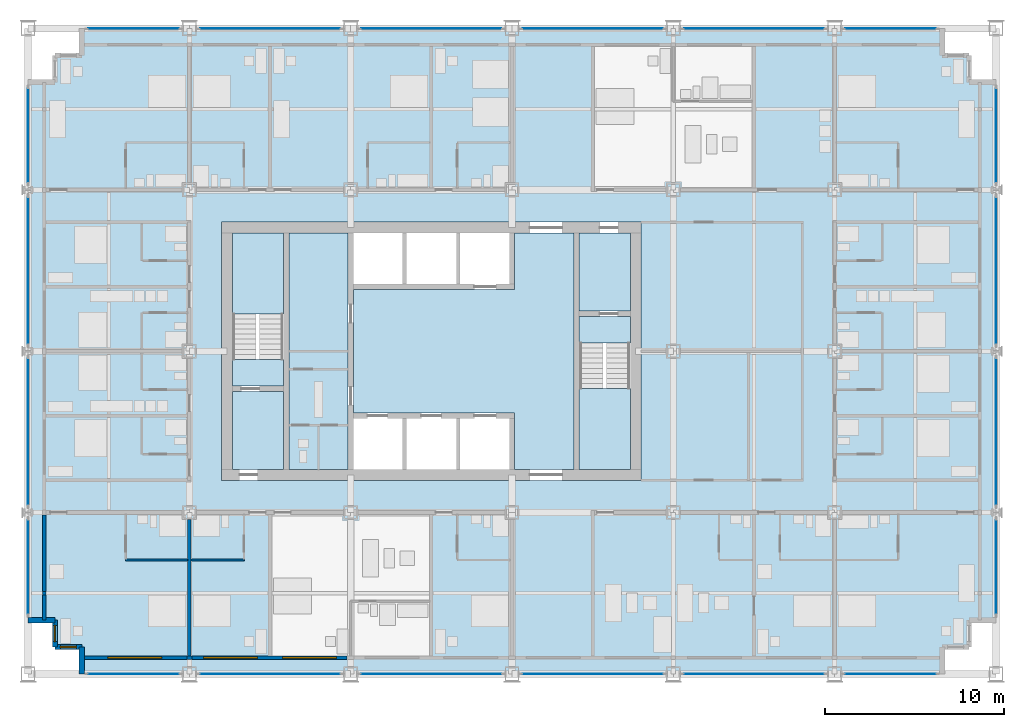
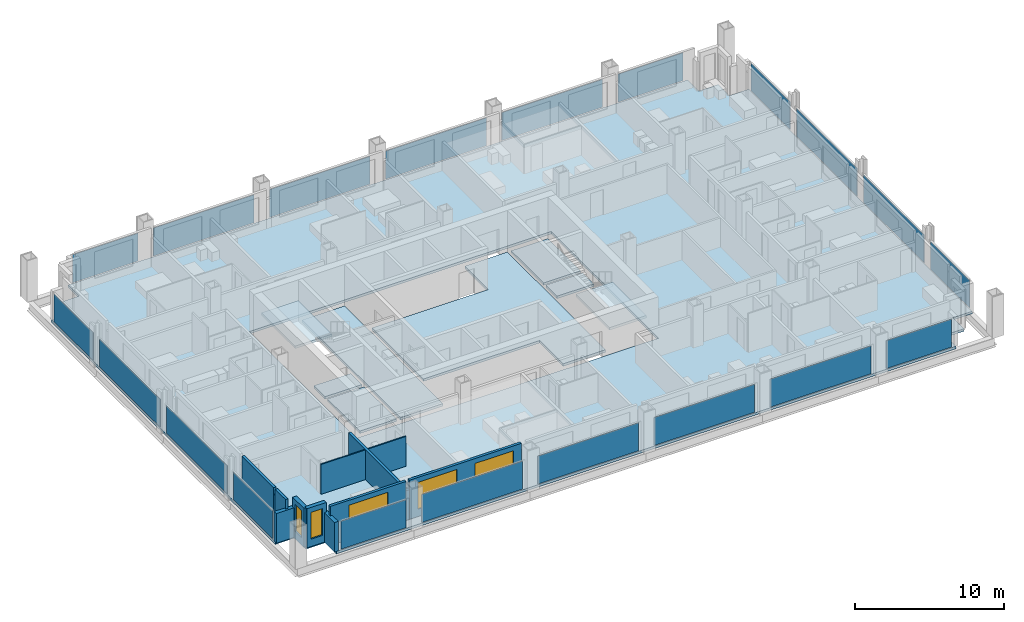
# One storey, part 9 of 18: 20 plates, 13 walls, 9 slabs, 5 windows, 5 openings, 22 elements without a shape of their own.
"""IFC4 building model written with IfcOpenShell, lengths in metres."""

from ifc_helpers import new_model, si_unit, direction, frame, frame_2d, origin, origin_2d, place, context, subcontext, project, spatial, polyline, rectangle, outline, extrude, material, layer, layer_set, type_object, element, fill, aggregate, save


model = new_model("IFC4")

# Units and contexts
model_context = context("Model", 3, precision=1e-05, world=origin(), true_north=direction((0.0, 1.0)))
body_context = subcontext(model_context, "Body", "Model", "MODEL_VIEW")
ifc_project = project(units=[si_unit("LENGTHUNIT", "METRE"), si_unit("AREAUNIT", "SQUARE_METRE"), si_unit("VOLUMEUNIT", "CUBIC_METRE"), si_unit("PLANEANGLEUNIT", "RADIAN"), si_unit("MASSUNIT", "GRAM", prefix="KILO")], contexts=[model_context])

# Site, building, storey
site_placement = place(None, origin())
site = spatial("IfcSite", under=ifc_project, at=site_placement, CompositionType="ELEMENT")
building_placement = place(site_placement, origin())
building = spatial("IfcBuilding", under=site, at=building_placement, Name="Loomwork Tower", CompositionType="ELEMENT")
storey_placement = place(building_placement, frame((0.0, 0.0, 55.199951171875)))
storey = spatial("IfcBuildingStorey", under=building, at=storey_placement, Name="L13", CompositionType="ELEMENT", Elevation=55.199951171875)

# Slabs
ifc_material_1 = material(Name="Concrete 5000 psi (34 MPa) on composite metal deck", Category="concrete")
ifc_layer_1 = layer(ifc_material_1, 0.199951171875)
ifc_layer_set_1 = layer_set([ifc_layer_1], Name="Floor slab 200")
slab_type_1 = type_object("IfcSlabType", Name="Floor slab 200", PredefinedType="FLOOR", material=ifc_layer_set_1)
slab_1_placement = place(storey_placement, frame((0.0, 0.0, -0.199951171875)))
element("IfcSlab", 1, at=slab_1_placement, inside=storey, type_object=slab_type_1, Name="Floor slab L13", PredefinedType="FLOOR", context=body_context, shape_type="SweptSolid", body=[
    extrude(outline(polyline([(3.0, 1.5), (1.5, 1.5), (1.5, 3.0), (0.0, 3.0), (0.0, 33.0), (1.5, 33.0), (1.5, 34.5), (3.0, 34.5), (3.0, 36.0), (51.0, 36.0), (51.0, 34.5), (52.5, 34.5), (52.5, 33.0), (54.0, 33.0), (54.0, 3.0), (52.5, 3.0), (52.5, 1.5), (51.0, 1.5), (51.0, 0.0), (3.0, 0.0), (3.0, 1.5)]), holes=[polyline([(10.800048828125, 11.39990234375), (10.800048828125, 11.39990234375), (10.800048828125, 10.800048828125), (34.199951171875, 10.800048828125), (34.199951171875, 11.39990234375), (34.199951171875, 11.39990234375), (34.199951171875, 24.60009765625), (34.199951171875, 25.199951171875), (10.800048828125, 25.199951171875), (10.800048828125, 24.60009765625), (10.800048828125, 11.39990234375)])]), origin(), (0.0, 0.0, 1.0), 0.199951171875),
])
slab_2_placement = place(storey_placement, frame((0.0, 0.0, -0.199951171875)))
element("IfcSlab", 2, at=slab_2_placement, inside=storey, type_object=slab_type_1, Name="Floor slab L13", PredefinedType="FLOOR", context=body_context, shape_type="SweptSolid", body=[
    extrude(outline(polyline([(30.449951171875, 24.60009765625), (30.449951171875, 11.39990234375), (27.14990234375, 11.39990234375), (27.14990234375, 14.25), (27.14990234375, 14.550048828125), (18.14990234375, 14.550048828125), (18.14990234375, 21.449951171875), (27.14990234375, 21.449951171875), (27.14990234375, 21.75), (27.14990234375, 24.60009765625), (30.449951171875, 24.60009765625)])), origin(), (0.0, 0.0, 1.0), 0.199951171875),
])
slab_3_placement = place(storey_placement, frame((0.0, 0.0, -0.199951171875)))
element("IfcSlab", 3, at=slab_3_placement, inside=storey, type_object=slab_type_1, Name="Floor slab L13", PredefinedType="FLOOR", context=body_context, shape_type="SweptSolid", body=[
    extrude(outline(polyline([(14.550048828125, 11.39990234375), (14.550048828125, 24.60009765625), (17.85009765625, 24.60009765625), (17.85009765625, 11.39990234375), (14.550048828125, 11.39990234375)])), origin(), (0.0, 0.0, 1.0), 0.199951171875),
])
slab_4_placement = place(storey_placement, frame((0.0, 0.0, -0.199951171875)))
element("IfcSlab", 4, at=slab_4_placement, inside=storey, type_object=slab_type_1, Name="Floor slab L13", PredefinedType="FLOOR", context=body_context, shape_type="SweptSolid", body=[
    extrude(outline(polyline([(33.60009765625, 20.25), (30.75, 20.25), (30.75, 24.60009765625), (33.60009765625, 24.60009765625), (33.60009765625, 20.25)])), origin(), (0.0, 0.0, 1.0), 0.199951171875),
])
slab_5_placement = place(storey_placement, frame((0.0, 0.0, -0.199951171875)))
element("IfcSlab", 5, at=slab_5_placement, inside=storey, type_object=slab_type_1, Name="Floor slab L13", PredefinedType="FLOOR", context=body_context, shape_type="SweptSolid", body=[
    extrude(outline(polyline([(14.25, 15.75), (14.25, 11.39990234375), (11.39990234375, 11.39990234375), (11.39990234375, 15.75), (14.25, 15.75)])), origin(), (0.0, 0.0, 1.0), 0.199951171875),
])

# Curtain wall, plate
ifc_material_2 = material(Name="Aluminium curtain wall frame", Category="aluminium")
curtain_wall_type = type_object("IfcCurtainWallType", Name="Outer skin glazing hotel", PredefinedType="NOTDEFINED", material=ifc_material_2)
curtain_wall_1_placement = place(storey_placement, origin())
curtain_wall_1 = element("IfcCurtainWall", 6, at=curtain_wall_1_placement, inside=storey, type_object=curtain_wall_type, Name="Outer skin glazing hotel cw/S-0", PredefinedType="NOTDEFINED")
ifc_material_3 = material(Name="Clear laminated glass", Category="glass")
ifc_layer_2 = layer(ifc_material_3, 0.02392578125)
ifc_layer_set_2 = layer_set([ifc_layer_2], Name="Outer skin glazing hotel panel")
plate_type = type_object("IfcPlateType", Name="Outer skin glazing hotel panel", PredefinedType="CURTAIN_PANEL", material=ifc_layer_set_2)
plate_1_placement = place(storey_placement, frame((5.875, 0.0, 0.06494140625), z_axis=(0.0, 0.0, 1.0), x_axis=(1.0, 0.0, 0.0)))
plate_1 = element("IfcPlate", 7, at=plate_1_placement, type_object=plate_type, Name="CW1 panel 1.1", PredefinedType="CURTAIN_PANEL", context=body_context, shape_type="SweptSolid", body=[
    extrude(rectangle(XDim=5.050048828125, YDim=0.02392578125, at=origin_2d()), origin(), (0.0, 0.0, 1.0), 2.290283203125),
])
aggregate(curtain_wall_1, [plate_1])

curtain_wall_2_placement = place(storey_placement, origin())
curtain_wall_2 = element("IfcCurtainWall", 8, at=curtain_wall_2_placement, inside=storey, type_object=curtain_wall_type, Name="Outer skin glazing hotel cw/S-9", PredefinedType="NOTDEFINED")
plate_2_placement = place(storey_placement, frame((13.5, 0.0, 0.06494140625), z_axis=(0.0, 0.0, 1.0), x_axis=(1.0, 0.0, 0.0)))
plate_2 = element("IfcPlate", 9, at=plate_2_placement, type_object=plate_type, Name="CW1 panel 1.1", PredefinedType="CURTAIN_PANEL", context=body_context, shape_type="SweptSolid", body=[
    extrude(rectangle(XDim=7.800048828125, YDim=0.02392578125, at=origin_2d()), origin(), (0.0, 0.0, 1.0), 2.290283203125),
])
aggregate(curtain_wall_2, [plate_2])

curtain_wall_3_placement = place(storey_placement, origin())
curtain_wall_3 = element("IfcCurtainWall", 10, at=curtain_wall_3_placement, inside=storey, type_object=curtain_wall_type, Name="Outer skin glazing hotel cw/S-18", PredefinedType="NOTDEFINED")
plate_3_placement = place(storey_placement, frame((22.5, 0.0, 0.06494140625), z_axis=(0.0, 0.0, 1.0), x_axis=(1.0, 0.0, 0.0)))
plate_3 = element("IfcPlate", 11, at=plate_3_placement, type_object=plate_type, Name="CW1 panel 1.1", PredefinedType="CURTAIN_PANEL", context=body_context, shape_type="SweptSolid", body=[
    extrude(rectangle(XDim=7.800048828125, YDim=0.02392578125, at=origin_2d()), origin(), (0.0, 0.0, 1.0), 2.290283203125),
])
aggregate(curtain_wall_3, [plate_3])

curtain_wall_4_placement = place(storey_placement, origin())
curtain_wall_4 = element("IfcCurtainWall", 12, at=curtain_wall_4_placement, inside=storey, type_object=curtain_wall_type, Name="Outer skin glazing hotel cw/S-27", PredefinedType="NOTDEFINED")
plate_4_placement = place(storey_placement, frame((31.5, 0.0, 0.06494140625), z_axis=(0.0, 0.0, 1.0), x_axis=(1.0, 0.0, 0.0)))
plate_4 = element("IfcPlate", 13, at=plate_4_placement, type_object=plate_type, Name="CW1 panel 1.1", PredefinedType="CURTAIN_PANEL", context=body_context, shape_type="SweptSolid", body=[
    extrude(rectangle(XDim=7.800048828125, YDim=0.02392578125, at=origin_2d()), origin(), (0.0, 0.0, 1.0), 2.290283203125),
])
aggregate(curtain_wall_4, [plate_4])

curtain_wall_5_placement = place(storey_placement, origin())
curtain_wall_5 = element("IfcCurtainWall", 14, at=curtain_wall_5_placement, inside=storey, type_object=curtain_wall_type, Name="Outer skin glazing hotel cw/S-36", PredefinedType="NOTDEFINED")
plate_5_placement = place(storey_placement, frame((40.5, 0.0, 0.06494140625), z_axis=(0.0, 0.0, 1.0), x_axis=(1.0, 0.0, 0.0)))
plate_5 = element("IfcPlate", 15, at=plate_5_placement, type_object=plate_type, Name="CW1 panel 1.1", PredefinedType="CURTAIN_PANEL", context=body_context, shape_type="SweptSolid", body=[
    extrude(rectangle(XDim=7.800048828125, YDim=0.02392578125, at=origin_2d()), origin(), (0.0, 0.0, 1.0), 2.290283203125),
])
aggregate(curtain_wall_5, [plate_5])

curtain_wall_6_placement = place(storey_placement, origin())
curtain_wall_6 = element("IfcCurtainWall", 16, at=curtain_wall_6_placement, inside=storey, type_object=curtain_wall_type, Name="Outer skin glazing hotel cw/S-45", PredefinedType="NOTDEFINED")
plate_6_placement = place(storey_placement, frame((48.125, 0.0, 0.06494140625), z_axis=(0.0, 0.0, 1.0), x_axis=(1.0, 0.0, 0.0)))
plate_6 = element("IfcPlate", 17, at=plate_6_placement, type_object=plate_type, Name="CW1 panel 1.1", PredefinedType="CURTAIN_PANEL", context=body_context, shape_type="SweptSolid", body=[
    extrude(rectangle(XDim=5.050048828125, YDim=0.02392578125, at=origin_2d()), origin(), (0.0, 0.0, 1.0), 2.290283203125),
])
aggregate(curtain_wall_6, [plate_6])

curtain_wall_7_placement = place(storey_placement, origin())
curtain_wall_7 = element("IfcCurtainWall", 18, at=curtain_wall_7_placement, inside=storey, type_object=curtain_wall_type, Name="Outer skin glazing hotel cw/N-0", PredefinedType="NOTDEFINED")
plate_7_placement = place(storey_placement, frame((5.875, 36.0, 0.06494140625), z_axis=(0.0, 0.0, 1.0), x_axis=(-1.0, 0.0, 0.0)))
plate_7 = element("IfcPlate", 19, at=plate_7_placement, type_object=plate_type, Name="CW1 panel 1.1", PredefinedType="CURTAIN_PANEL", context=body_context, shape_type="SweptSolid", body=[
    extrude(rectangle(XDim=5.050048828125, YDim=0.02392578125, at=origin_2d()), origin(), (0.0, 0.0, 1.0), 2.290283203125),
])
aggregate(curtain_wall_7, [plate_7])

curtain_wall_8_placement = place(storey_placement, origin())
curtain_wall_8 = element("IfcCurtainWall", 20, at=curtain_wall_8_placement, inside=storey, type_object=curtain_wall_type, Name="Outer skin glazing hotel cw/N-9", PredefinedType="NOTDEFINED")
plate_8_placement = place(storey_placement, frame((13.5, 36.0, 0.06494140625), z_axis=(0.0, 0.0, 1.0), x_axis=(-1.0, 0.0, 0.0)))
plate_8 = element("IfcPlate", 21, at=plate_8_placement, type_object=plate_type, Name="CW1 panel 1.1", PredefinedType="CURTAIN_PANEL", context=body_context, shape_type="SweptSolid", body=[
    extrude(rectangle(XDim=7.800048828125, YDim=0.02392578125, at=origin_2d()), origin(), (0.0, 0.0, 1.0), 2.290283203125),
])
aggregate(curtain_wall_8, [plate_8])

curtain_wall_9_placement = place(storey_placement, origin())
curtain_wall_9 = element("IfcCurtainWall", 22, at=curtain_wall_9_placement, inside=storey, type_object=curtain_wall_type, Name="Outer skin glazing hotel cw/N-18", PredefinedType="NOTDEFINED")
plate_9_placement = place(storey_placement, frame((22.5, 36.0, 0.06494140625), z_axis=(0.0, 0.0, 1.0), x_axis=(-1.0, 0.0, 0.0)))
plate_9 = element("IfcPlate", 23, at=plate_9_placement, type_object=plate_type, Name="CW1 panel 1.1", PredefinedType="CURTAIN_PANEL", context=body_context, shape_type="SweptSolid", body=[
    extrude(rectangle(XDim=7.800048828125, YDim=0.02392578125, at=origin_2d()), origin(), (0.0, 0.0, 1.0), 2.290283203125),
])
aggregate(curtain_wall_9, [plate_9])

curtain_wall_10_placement = place(storey_placement, origin())
curtain_wall_10 = element("IfcCurtainWall", 24, at=curtain_wall_10_placement, inside=storey, type_object=curtain_wall_type, Name="Outer skin glazing hotel cw/N-27", PredefinedType="NOTDEFINED")
plate_10_placement = place(storey_placement, frame((31.5, 36.0, 0.06494140625), z_axis=(0.0, 0.0, 1.0), x_axis=(-1.0, 0.0, 0.0)))
plate_10 = element("IfcPlate", 25, at=plate_10_placement, type_object=plate_type, Name="CW1 panel 1.1", PredefinedType="CURTAIN_PANEL", context=body_context, shape_type="SweptSolid", body=[
    extrude(rectangle(XDim=7.800048828125, YDim=0.02392578125, at=origin_2d()), origin(), (0.0, 0.0, 1.0), 2.290283203125),
])
aggregate(curtain_wall_10, [plate_10])

curtain_wall_11_placement = place(storey_placement, origin())
curtain_wall_11 = element("IfcCurtainWall", 26, at=curtain_wall_11_placement, inside=storey, type_object=curtain_wall_type, Name="Outer skin glazing hotel cw/N-36", PredefinedType="NOTDEFINED")
plate_11_placement = place(storey_placement, frame((40.5, 36.0, 0.06494140625), z_axis=(0.0, 0.0, 1.0), x_axis=(-1.0, 0.0, 0.0)))
plate_11 = element("IfcPlate", 27, at=plate_11_placement, type_object=plate_type, Name="CW1 panel 1.1", PredefinedType="CURTAIN_PANEL", context=body_context, shape_type="SweptSolid", body=[
    extrude(rectangle(XDim=7.800048828125, YDim=0.02392578125, at=origin_2d()), origin(), (0.0, 0.0, 1.0), 2.290283203125),
])
aggregate(curtain_wall_11, [plate_11])

curtain_wall_12_placement = place(storey_placement, origin())
curtain_wall_12 = element("IfcCurtainWall", 28, at=curtain_wall_12_placement, inside=storey, type_object=curtain_wall_type, Name="Outer skin glazing hotel cw/N-45", PredefinedType="NOTDEFINED")
plate_12_placement = place(storey_placement, frame((48.125, 36.0, 0.06494140625), z_axis=(0.0, 0.0, 1.0), x_axis=(-1.0, 0.0, 0.0)))
plate_12 = element("IfcPlate", 29, at=plate_12_placement, type_object=plate_type, Name="CW1 panel 1.1", PredefinedType="CURTAIN_PANEL", context=body_context, shape_type="SweptSolid", body=[
    extrude(rectangle(XDim=5.050048828125, YDim=0.02392578125, at=origin_2d()), origin(), (0.0, 0.0, 1.0), 2.290283203125),
])
aggregate(curtain_wall_12, [plate_12])

curtain_wall_13_placement = place(storey_placement, origin())
curtain_wall_13 = element("IfcCurtainWall", 30, at=curtain_wall_13_placement, inside=storey, type_object=curtain_wall_type, Name="Outer skin glazing hotel cw/W-0", PredefinedType="NOTDEFINED")
plate_13_placement = place(storey_placement, frame((0.0, 5.96142578125, 0.06494140625), z_axis=(0.0, 0.0, 1.0), x_axis=(0.0, -1.0, 0.0)))
plate_13 = element("IfcPlate", 31, at=plate_13_placement, type_object=plate_type, Name="CW1 panel 1.1", PredefinedType="CURTAIN_PANEL", context=body_context, shape_type="SweptSolid", body=[
    extrude(rectangle(XDim=5.22265625, YDim=0.02392578125, at=origin_2d()), origin(), (0.0, 0.0, 1.0), 2.290283203125),
])
aggregate(curtain_wall_13, [plate_13])

curtain_wall_14_placement = place(storey_placement, origin())
curtain_wall_14 = element("IfcCurtainWall", 32, at=curtain_wall_14_placement, inside=storey, type_object=curtain_wall_type, Name="Outer skin glazing hotel cw/W-9", PredefinedType="NOTDEFINED")
plate_14_placement = place(storey_placement, frame((0.0, 13.5, 0.06494140625), z_axis=(0.0, 0.0, 1.0), x_axis=(0.0, -1.0, 0.0)))
plate_14 = element("IfcPlate", 33, at=plate_14_placement, type_object=plate_type, Name="CW1 panel 1.1", PredefinedType="CURTAIN_PANEL", context=body_context, shape_type="SweptSolid", body=[
    extrude(rectangle(XDim=8.1455078125, YDim=0.02392578125, at=origin_2d()), origin(), (0.0, 0.0, 1.0), 2.290283203125),
])
aggregate(curtain_wall_14, [plate_14])

curtain_wall_15_placement = place(storey_placement, origin())
curtain_wall_15 = element("IfcCurtainWall", 34, at=curtain_wall_15_placement, inside=storey, type_object=curtain_wall_type, Name="Outer skin glazing hotel cw/W-18", PredefinedType="NOTDEFINED")
plate_15_placement = place(storey_placement, frame((0.0, 22.5, 0.06494140625), z_axis=(0.0, 0.0, 1.0), x_axis=(0.0, -1.0, 0.0)))
plate_15 = element("IfcPlate", 35, at=plate_15_placement, type_object=plate_type, Name="CW1 panel 1.1", PredefinedType="CURTAIN_PANEL", context=body_context, shape_type="SweptSolid", body=[
    extrude(rectangle(XDim=8.1455078125, YDim=0.02392578125, at=origin_2d()), origin(), (0.0, 0.0, 1.0), 2.290283203125),
])
aggregate(curtain_wall_15, [plate_15])

curtain_wall_16_placement = place(storey_placement, origin())
curtain_wall_16 = element("IfcCurtainWall", 36, at=curtain_wall_16_placement, inside=storey, type_object=curtain_wall_type, Name="Outer skin glazing hotel cw/W-27", PredefinedType="NOTDEFINED")
plate_16_placement = place(storey_placement, frame((0.0, 30.03857421875, 0.06494140625), z_axis=(0.0, 0.0, 1.0), x_axis=(0.0, -1.0, 0.0)))
plate_16 = element("IfcPlate", 37, at=plate_16_placement, type_object=plate_type, Name="CW1 panel 1.1", PredefinedType="CURTAIN_PANEL", context=body_context, shape_type="SweptSolid", body=[
    extrude(rectangle(XDim=5.22265625, YDim=0.02392578125, at=origin_2d()), origin(), (0.0, 0.0, 1.0), 2.290283203125),
])
aggregate(curtain_wall_16, [plate_16])

curtain_wall_17_placement = place(storey_placement, origin())
curtain_wall_17 = element("IfcCurtainWall", 38, at=curtain_wall_17_placement, inside=storey, type_object=curtain_wall_type, Name="Outer skin glazing hotel cw/E-0", PredefinedType="NOTDEFINED")
plate_17_placement = place(storey_placement, frame((54.0, 5.96142578125, 0.06494140625), z_axis=(0.0, 0.0, 1.0), x_axis=(0.0, 1.0, 0.0)))
plate_17 = element("IfcPlate", 39, at=plate_17_placement, type_object=plate_type, Name="CW1 panel 1.1", PredefinedType="CURTAIN_PANEL", context=body_context, shape_type="SweptSolid", body=[
    extrude(rectangle(XDim=5.22265625, YDim=0.02392578125, at=origin_2d()), origin(), (0.0, 0.0, 1.0), 2.290283203125),
])
aggregate(curtain_wall_17, [plate_17])

curtain_wall_18_placement = place(storey_placement, origin())
curtain_wall_18 = element("IfcCurtainWall", 40, at=curtain_wall_18_placement, inside=storey, type_object=curtain_wall_type, Name="Outer skin glazing hotel cw/E-9", PredefinedType="NOTDEFINED")
plate_18_placement = place(storey_placement, frame((54.0, 13.5, 0.06494140625), z_axis=(0.0, 0.0, 1.0), x_axis=(0.0, 1.0, 0.0)))
plate_18 = element("IfcPlate", 41, at=plate_18_placement, type_object=plate_type, Name="CW1 panel 1.1", PredefinedType="CURTAIN_PANEL", context=body_context, shape_type="SweptSolid", body=[
    extrude(rectangle(XDim=8.1455078125, YDim=0.02392578125, at=origin_2d()), origin(), (0.0, 0.0, 1.0), 2.290283203125),
])
aggregate(curtain_wall_18, [plate_18])

curtain_wall_19_placement = place(storey_placement, origin())
curtain_wall_19 = element("IfcCurtainWall", 42, at=curtain_wall_19_placement, inside=storey, type_object=curtain_wall_type, Name="Outer skin glazing hotel cw/E-18", PredefinedType="NOTDEFINED")
plate_19_placement = place(storey_placement, frame((54.0, 22.5, 0.06494140625), z_axis=(0.0, 0.0, 1.0), x_axis=(0.0, 1.0, 0.0)))
plate_19 = element("IfcPlate", 43, at=plate_19_placement, type_object=plate_type, Name="CW1 panel 1.1", PredefinedType="CURTAIN_PANEL", context=body_context, shape_type="SweptSolid", body=[
    extrude(rectangle(XDim=8.1455078125, YDim=0.02392578125, at=origin_2d()), origin(), (0.0, 0.0, 1.0), 2.290283203125),
])
aggregate(curtain_wall_19, [plate_19])

curtain_wall_20_placement = place(storey_placement, origin())
curtain_wall_20 = element("IfcCurtainWall", 44, at=curtain_wall_20_placement, inside=storey, type_object=curtain_wall_type, Name="Outer skin glazing hotel cw/E-27", PredefinedType="NOTDEFINED")
plate_20_placement = place(storey_placement, frame((54.0, 30.03857421875, 0.06494140625), z_axis=(0.0, 0.0, 1.0), x_axis=(0.0, 1.0, 0.0)))
plate_20 = element("IfcPlate", 45, at=plate_20_placement, type_object=plate_type, Name="CW1 panel 1.1", PredefinedType="CURTAIN_PANEL", context=body_context, shape_type="SweptSolid", body=[
    extrude(rectangle(XDim=5.22265625, YDim=0.02392578125, at=origin_2d()), origin(), (0.0, 0.0, 1.0), 2.290283203125),
])
aggregate(curtain_wall_20, [plate_20])

# Stair, slabs
ifc_material_4 = material(Name="Concrete 5000 psi (34 MPa) precast stair", Category="concrete")
stair_type_1 = type_object("IfcStairType", Name="Stair ST-A 20 risers 2850 wide", PredefinedType="HALF_TURN_STAIR", material=ifc_material_4)
stair_1_placement = place(storey_placement, origin())
stair_1 = element("IfcStair", 46, at=stair_1_placement, inside=storey, type_object=stair_type_1, Name="Stair A L13", PredefinedType="HALF_TURN_STAIR")
ifc_material_5 = material(Name="Concrete 5000 psi (34 MPa)", Category="concrete")
ifc_layer_3 = layer(ifc_material_5, 0.199951171875)
ifc_layer_set_3 = layer_set([ifc_layer_3], Name="Stair landing 200")
slab_type_2 = type_object("IfcSlabType", Name="Stair landing 200", PredefinedType="LANDING", material=ifc_layer_set_3)
slab_6_placement = place(storey_placement, frame((0.0, 0.0, -0.199951171875)))
slab_6 = element("IfcSlab", 47, at=slab_6_placement, type_object=slab_type_2, Name="ST-A landing 1", PredefinedType="LANDING", context=body_context, shape_type="SweptSolid", body=[
    extrude(outline(polyline([(11.39990234375, 16.050048828125), (14.25, 16.050048828125), (14.25, 17.550048828125), (11.39990234375, 17.550048828125), (11.39990234375, 16.050048828125)])), origin(), (0.0, 0.0, 1.0), 0.199951171875),
])
slab_7_placement = place(storey_placement, frame((0.0, 0.0, 1.5)))
slab_7 = element("IfcSlab", 48, at=slab_7_placement, type_object=slab_type_2, Name="ST-A landing 2", PredefinedType="LANDING", context=body_context, shape_type="SweptSolid", body=[
    extrude(outline(polyline([(11.39990234375, 20.070068359375), (14.25, 20.070068359375), (14.25, 24.60009765625), (11.39990234375, 24.60009765625), (11.39990234375, 20.070068359375)])), origin(), (0.0, 0.0, 1.0), 0.199951171875),
])
aggregate(stair_1, [slab_6, slab_7])

ifc_material_6 = material(Name="Concrete 5000 psi (34 MPa) precast stair", Category="concrete")
stair_type_2 = type_object("IfcStairType", Name="Stair ST-B 20 risers 2850 wide", PredefinedType="HALF_TURN_STAIR", material=ifc_material_6)
stair_2_placement = place(storey_placement, origin())
stair_2 = element("IfcStair", 49, at=stair_2_placement, inside=storey, type_object=stair_type_2, Name="Stair B L13", PredefinedType="HALF_TURN_STAIR")
slab_8_placement = place(storey_placement, frame((0.0, 0.0, -0.199951171875)))
slab_8 = element("IfcSlab", 50, at=slab_8_placement, type_object=slab_type_2, Name="ST-B landing 1", PredefinedType="LANDING", context=body_context, shape_type="SweptSolid", body=[
    extrude(outline(polyline([(30.75, 18.449951171875), (33.60009765625, 18.449951171875), (33.60009765625, 19.949951171875), (30.75, 19.949951171875), (30.75, 18.449951171875)])), origin(), (0.0, 0.0, 1.0), 0.199951171875),
])
slab_9_placement = place(storey_placement, frame((0.0, 0.0, 1.5)))
slab_9 = element("IfcSlab", 51, at=slab_9_placement, type_object=slab_type_2, Name="ST-B landing 2", PredefinedType="LANDING", context=body_context, shape_type="SweptSolid", body=[
    extrude(outline(polyline([(30.75, 11.39990234375), (33.60009765625, 11.39990234375), (33.60009765625, 15.929931640625), (30.75, 15.929931640625), (30.75, 11.39990234375)])), origin(), (0.0, 0.0, 1.0), 0.199951171875),
])
aggregate(stair_2, [slab_8, slab_9])

# Walls
ifc_material_7 = material(Name="Cement board on steel studs", Category="steel")
ifc_layer_4 = layer(ifc_material_7, 0.10009765625)
ifc_layer_set_4 = layer_set([ifc_layer_4], Name="En-suite partition 100")
wall_type_1 = type_object("IfcWallType", Name="En-suite partition 100", PredefinedType="PARTITIONING", material=ifc_layer_set_4)
wall_1_placement = place(storey_placement, frame((5.449951171875, 6.35009765625, 0.0), z_axis=(0.0, 0.0, 1.0), x_axis=(1.0, 0.0, 0.0)))
element("IfcWall", 52, at=wall_1_placement, inside=storey, type_object=wall_type_1, Name="En-suite wall L13 room 1", PredefinedType="PARTITIONING", context=body_context, shape_type="SweptSolid", body=[
    extrude(rectangle(XDim=3.449951171875, YDim=0.10009765625, at=frame_2d((1.72509765625, 0.0))), origin(), (0.0, 0.0, 1.0), 2.43798828125),
])
wall_2_placement = place(storey_placement, frame((9.10009765625, 6.35009765625, 0.0), z_axis=(0.0, 0.0, 1.0), x_axis=(1.0, 0.0, 0.0)))
element("IfcWall", 53, at=wall_2_placement, inside=storey, type_object=wall_type_1, Name="En-suite wall L13 room 2", PredefinedType="PARTITIONING", context=body_context, shape_type="SweptSolid", body=[
    extrude(rectangle(XDim=2.949951171875, YDim=0.10009765625, at=frame_2d((1.47509765625, 0.0))), origin(), (0.0, 0.0, 1.0), 2.43798828125),
])
ifc_material_8 = material(Name="Gypsum board on steel studs, acoustic", Category="steel")
ifc_layer_5 = layer(ifc_material_8, 0.199951171875)
ifc_layer_set_5 = layer_set([ifc_layer_5], Name="Guest room party wall 200")
wall_type_2 = type_object("IfcWallType", Name="Guest room party wall 200", PredefinedType="PARTITIONING", material=ifc_layer_set_5)
wall_3_placement = place(storey_placement, frame((9.0, 8.60009765625, 0.0), z_axis=(0.0, 0.0, 1.0), x_axis=(0.0, -1.0, 0.0)))
element("IfcWall", 54, at=wall_3_placement, inside=storey, type_object=wall_type_2, Name="Guest room party wall S 9", PredefinedType="PARTITIONING", context=body_context, shape_type="SweptSolid", body=[
    extrude(rectangle(XDim=7.60009765625, YDim=0.199951171875, at=frame_2d((3.800048828125, 0.0))), origin(), (0.0, 0.0, 1.0), 2.43798828125),
])

# Wall, opening, window
ifc_material_9 = material(Name="Insulated steel stud wall with gypsum lining", Category="steel")
ifc_layer_6 = layer(ifc_material_9, 0.199951171875)
ifc_layer_set_6 = layer_set([ifc_layer_6], Name="Inner skin wall 200")
wall_type_3 = type_object("IfcWallType", Name="Inner skin wall 200", PredefinedType="SOLIDWALL", material=ifc_layer_set_6)
wall_4_placement = place(storey_placement, frame((3.0, 0.89990234375, 0.0), z_axis=(0.0, 0.0, 1.0), x_axis=(1.0, 0.0, 0.0)))
wall_4 = element("IfcWall", 55, at=wall_4_placement, inside=storey, type_object=wall_type_3, Name="Inner skin wall S", PredefinedType="SOLIDWALL", context=body_context, shape_type="SweptSolid", body=[
    extrude(rectangle(XDim=5.86474609375, YDim=0.199951171875, at=frame_2d((2.932373046875, 0.0))), origin(), (0.0, 0.0, 1.0), 3.199951171875),
])
opening_1_placement = place(wall_4_placement, frame((1.449951171875, 0.0, 0.60009765625)))
opening_1 = element("IfcOpeningElement", 56, at=opening_1_placement, cuts=wall_4, Name="Opening CH1", PredefinedType="OPENING", context=body_context, shape_type="SweptSolid", body=[
    extrude(rectangle(XDim=3.0, YDim=2.199951171875, at=frame_2d((1.5, 1.10009765625))), frame((0.0, 0.10986328125, 0.0), z_axis=(0.0, -1.0, 0.0), x_axis=(1.0, 0.0, 0.0)), (0.0, 0.0, 1.0), 0.219970703125),
])
ifc_material_10 = material(Name="Aluminium frame with clear insulated glass", Category="aluminium")
window_type_1 = type_object("IfcWindowType", Name="Chicago window 3000", PartitioningType="TRIPLE_PANEL_VERTICAL", PredefinedType="WINDOW", material=ifc_material_10)
window_1_placement = place(opening_1_placement, origin())
window_1 = element("IfcWindow", 57, at=window_1_placement, inside=storey, type_object=window_type_1, Name="Chicago window L13 bay 1", OverallHeight=2.199951171875, OverallWidth=3.0, PartitioningType="TRIPLE_PANEL_VERTICAL", PredefinedType="WINDOW", context=body_context, shape_type="SweptSolid", body=[
    extrude(rectangle(XDim=3.0, YDim=2.199951171875, at=frame_2d((1.5, 1.10009765625))), frame((0.0, 0.030029296875, 0.0), z_axis=(0.0, -1.0, 0.0), x_axis=(1.0, 0.0, 0.0)), (0.0, 0.0, 1.0), 0.06005859375),
])
fill(opening_1, window_1)

# Walls
wall_5_placement = place(storey_placement, frame((0.89990234375, 3.0, 0.0), z_axis=(0.0, 0.0, 1.0), x_axis=(0.0, 1.0, 0.0)))
element("IfcWall", 58, at=wall_5_placement, inside=storey, type_object=wall_type_3, Name="Inner skin wall W", PredefinedType="SOLIDWALL", context=body_context, shape_type="SweptSolid", body=[
    extrude(rectangle(XDim=1.392578125, YDim=0.199951171875, at=frame_2d((0.6962890625, 0.0))), origin(), (0.0, 0.0, 1.0), 3.199951171875),
])
wall_6_placement = place(storey_placement, frame((8.86474609375, 0.89990234375, 0.0), z_axis=(0.0, 0.0, 1.0), x_axis=(1.0, 0.0, 0.0)))
element("IfcWall", 59, at=wall_6_placement, inside=storey, type_object=wall_type_3, Name="Inner skin wall S bay 2", PredefinedType="SOLIDWALL", context=body_context, shape_type="SweptSolid", body=[
    extrude(rectangle(XDim=0.2705078125, YDim=0.199951171875, at=frame_2d((0.13525390625, 0.0))), origin(), (0.0, 0.0, 1.0), 2.43798828125),
])

# Wall, openings, windows
wall_7_placement = place(storey_placement, frame((9.13525390625, 0.89990234375, 0.0), z_axis=(0.0, 0.0, 1.0), x_axis=(1.0, 0.0, 0.0)))
wall_7 = element("IfcWall", 60, at=wall_7_placement, inside=storey, type_object=wall_type_3, Name="Inner skin wall S bay 3", PredefinedType="SOLIDWALL", context=body_context, shape_type="SweptSolid", body=[
    extrude(rectangle(XDim=8.6708984375, YDim=0.199951171875, at=frame_2d((4.33544921875, 0.0))), origin(), (0.0, 0.0, 1.0), 3.199951171875),
])
opening_2_placement = place(wall_7_placement, frame((0.664794921875, 0.0, 0.60009765625)))
opening_2 = element("IfcOpeningElement", 61, at=opening_2_placement, cuts=wall_7, Name="Opening CH1", PredefinedType="OPENING", context=body_context, shape_type="SweptSolid", body=[
    extrude(rectangle(XDim=3.0, YDim=2.199951171875, at=frame_2d((1.5, 1.10009765625))), frame((0.0, 0.10986328125, 0.0), z_axis=(0.0, -1.0, 0.0), x_axis=(1.0, 0.0, 0.0)), (0.0, 0.0, 1.0), 0.219970703125),
])
opening_3_placement = place(wall_7_placement, frame((5.064697265625, 0.0, 0.60009765625)))
opening_3 = element("IfcOpeningElement", 62, at=opening_3_placement, cuts=wall_7, Name="Opening CH1", PredefinedType="OPENING", context=body_context, shape_type="SweptSolid", body=[
    extrude(rectangle(XDim=3.0, YDim=2.199951171875, at=frame_2d((1.5, 1.10009765625))), frame((0.0, 0.10986328125, 0.0), z_axis=(0.0, -1.0, 0.0), x_axis=(1.0, 0.0, 0.0)), (0.0, 0.0, 1.0), 0.219970703125),
])
window_2_placement = place(opening_2_placement, origin())
window_2 = element("IfcWindow", 63, at=window_2_placement, inside=storey, type_object=window_type_1, Name="Chicago window L13 bay 2", OverallHeight=2.199951171875, OverallWidth=3.0, PartitioningType="TRIPLE_PANEL_VERTICAL", PredefinedType="WINDOW", context=body_context, shape_type="SweptSolid", body=[
    extrude(rectangle(XDim=3.0, YDim=2.199951171875, at=frame_2d((1.5, 1.10009765625))), frame((0.0, 0.030029296875, 0.0), z_axis=(0.0, -1.0, 0.0), x_axis=(1.0, 0.0, 0.0)), (0.0, 0.0, 1.0), 0.06005859375),
])
fill(opening_2, window_2)
window_3_placement = place(opening_3_placement, origin())
window_3 = element("IfcWindow", 64, at=window_3_placement, inside=storey, type_object=window_type_1, Name="Chicago window L13 bay 2", OverallHeight=2.199951171875, OverallWidth=3.0, PartitioningType="TRIPLE_PANEL_VERTICAL", PredefinedType="WINDOW", context=body_context, shape_type="SweptSolid", body=[
    extrude(rectangle(XDim=3.0, YDim=2.199951171875, at=frame_2d((1.5, 1.10009765625))), frame((0.0, 0.030029296875, 0.0), z_axis=(0.0, -1.0, 0.0), x_axis=(1.0, 0.0, 0.0)), (0.0, 0.0, 1.0), 0.06005859375),
])
fill(opening_3, window_3)

# Walls
wall_8_placement = place(storey_placement, frame((0.89990234375, 4.392578125, 0.0), z_axis=(0.0, 0.0, 1.0), x_axis=(0.0, 1.0, 0.0)))
element("IfcWall", 65, at=wall_8_placement, inside=storey, type_object=wall_type_3, Name="Inner skin wall W bay 2", PredefinedType="SOLIDWALL", context=body_context, shape_type="SweptSolid", body=[
    extrude(rectangle(XDim=0.21484375, YDim=0.199951171875, at=frame_2d((0.107421875, 0.0))), origin(), (0.0, 0.0, 1.0), 2.6611328125),
])
wall_9_placement = place(storey_placement, frame((0.89990234375, 4.607421875, 0.0), z_axis=(0.0, 0.0, 1.0), x_axis=(0.0, 1.0, 0.0)))
element("IfcWall", 66, at=wall_9_placement, inside=storey, type_object=wall_type_3, Name="Inner skin wall W bay 3", PredefinedType="SOLIDWALL", context=body_context, shape_type="SweptSolid", body=[
    extrude(rectangle(XDim=4.25732421875, YDim=0.199951171875, at=frame_2d((2.128662109375, 0.0))), origin(), (0.0, 0.0, 1.0), 3.199951171875),
])
ifc_material_11 = material(Name="Limestone on concrete masonry", Category="masonry")
ifc_layer_7 = layer(ifc_material_11, 0.300048828125)
ifc_layer_set_7 = layer_set([ifc_layer_7], Name="Limestone corner wall 300")
wall_type_4 = type_object("IfcWallType", Name="Limestone corner wall 300", PredefinedType="SOLIDWALL", material=ifc_layer_set_7)
wall_10_placement = place(storey_placement, frame((0.0, 3.0, 0.0), z_axis=(0.0, 0.0, 1.0), x_axis=(1.0, 0.0, 0.0)))
element("IfcWall", 67, at=wall_10_placement, inside=storey, type_object=wall_type_4, Name="Stone corner wall SW 1", PredefinedType="SOLIDWALL", context=body_context, shape_type="SweptSolid", body=[
    extrude(rectangle(XDim=1.5, YDim=0.300048828125, at=frame_2d((0.75, 0.0))), origin(), (0.0, 0.0, 1.0), 2.420166015625),
])

# Wall, opening, window
wall_11_placement = place(storey_placement, frame((1.5, 3.0, 0.0), z_axis=(0.0, 0.0, 1.0), x_axis=(0.0, -1.0, 0.0)))
wall_11 = element("IfcWall", 68, at=wall_11_placement, inside=storey, type_object=wall_type_4, Name="Stone corner wall SW 2", PredefinedType="SOLIDWALL", context=body_context, shape_type="SweptSolid", body=[
    extrude(rectangle(XDim=1.5, YDim=0.300048828125, at=frame_2d((0.75, 0.0))), origin(), (0.0, 0.0, 1.0), 3.199951171875),
])
opening_4_placement = place(wall_11_placement, frame((0.300048828125, 0.0, 0.60009765625)))
opening_4 = element("IfcOpeningElement", 69, at=opening_4_placement, cuts=wall_11, Name="Opening CH2", PredefinedType="OPENING", context=body_context, shape_type="SweptSolid", body=[
    extrude(rectangle(XDim=0.89990234375, YDim=2.199951171875, at=frame_2d((0.449951171875, 1.10009765625))), frame((0.0, 0.159912109375, 0.0), z_axis=(0.0, -1.0, 0.0), x_axis=(1.0, 0.0, 0.0)), (0.0, 0.0, 1.0), 0.320068359375),
])
ifc_material_12 = material(Name="Aluminium frame with clear insulated glass", Category="aluminium")
window_type_2 = type_object("IfcWindowType", Name="Corner window 900", PartitioningType="SINGLE_PANEL", PredefinedType="WINDOW", material=ifc_material_12)
window_4_placement = place(opening_4_placement, origin())
window_4 = element("IfcWindow", 70, at=window_4_placement, inside=storey, type_object=window_type_2, Name="Corner window SW", OverallHeight=2.199951171875, OverallWidth=0.89990234375, PartitioningType="SINGLE_PANEL", PredefinedType="WINDOW", context=body_context, shape_type="SweptSolid", body=[
    extrude(rectangle(XDim=0.89990234375, YDim=2.199951171875, at=frame_2d((0.449951171875, 1.10009765625))), frame((0.0, 0.030029296875, 0.0), z_axis=(0.0, -1.0, 0.0), x_axis=(1.0, 0.0, 0.0)), (0.0, 0.0, 1.0), 0.06005859375),
])
fill(opening_4, window_4)

wall_12_placement = place(storey_placement, frame((1.5, 1.5, 0.0), z_axis=(0.0, 0.0, 1.0), x_axis=(1.0, 0.0, 0.0)))
wall_12 = element("IfcWall", 71, at=wall_12_placement, inside=storey, type_object=wall_type_4, Name="Stone corner wall SW 3", PredefinedType="SOLIDWALL", context=body_context, shape_type="SweptSolid", body=[
    extrude(rectangle(XDim=1.5, YDim=0.300048828125, at=frame_2d((0.75, 0.0))), origin(), (0.0, 0.0, 1.0), 3.199951171875),
])
opening_5_placement = place(wall_12_placement, frame((0.300048828125, 0.0, 0.60009765625)))
opening_5 = element("IfcOpeningElement", 72, at=opening_5_placement, cuts=wall_12, Name="Opening CH2", PredefinedType="OPENING", context=body_context, shape_type="SweptSolid", body=[
    extrude(rectangle(XDim=0.89990234375, YDim=2.199951171875, at=frame_2d((0.449951171875, 1.10009765625))), frame((0.0, 0.159912109375, 0.0), z_axis=(0.0, -1.0, 0.0), x_axis=(1.0, 0.0, 0.0)), (0.0, 0.0, 1.0), 0.320068359375),
])
window_5_placement = place(opening_5_placement, origin())
window_5 = element("IfcWindow", 73, at=window_5_placement, inside=storey, type_object=window_type_2, Name="Corner window SW", OverallHeight=2.199951171875, OverallWidth=0.89990234375, PartitioningType="SINGLE_PANEL", PredefinedType="WINDOW", context=body_context, shape_type="SweptSolid", body=[
    extrude(rectangle(XDim=0.89990234375, YDim=2.199951171875, at=frame_2d((0.449951171875, 1.10009765625))), frame((0.0, 0.030029296875, 0.0), z_axis=(0.0, -1.0, 0.0), x_axis=(1.0, 0.0, 0.0)), (0.0, 0.0, 1.0), 0.06005859375),
])
fill(opening_5, window_5)

# Wall
wall_13_placement = place(storey_placement, frame((3.0, 1.5, 0.0), z_axis=(0.0, 0.0, 1.0), x_axis=(0.0, -1.0, 0.0)))
element("IfcWall", 74, at=wall_13_placement, inside=storey, type_object=wall_type_4, Name="Stone corner wall SW 4", PredefinedType="SOLIDWALL", context=body_context, shape_type="SweptSolid", body=[
    extrude(rectangle(XDim=1.5, YDim=0.300048828125, at=frame_2d((0.75, 0.0))), origin(), (0.0, 0.0, 1.0), 2.420166015625),
])

save(model, "model.ifc")
